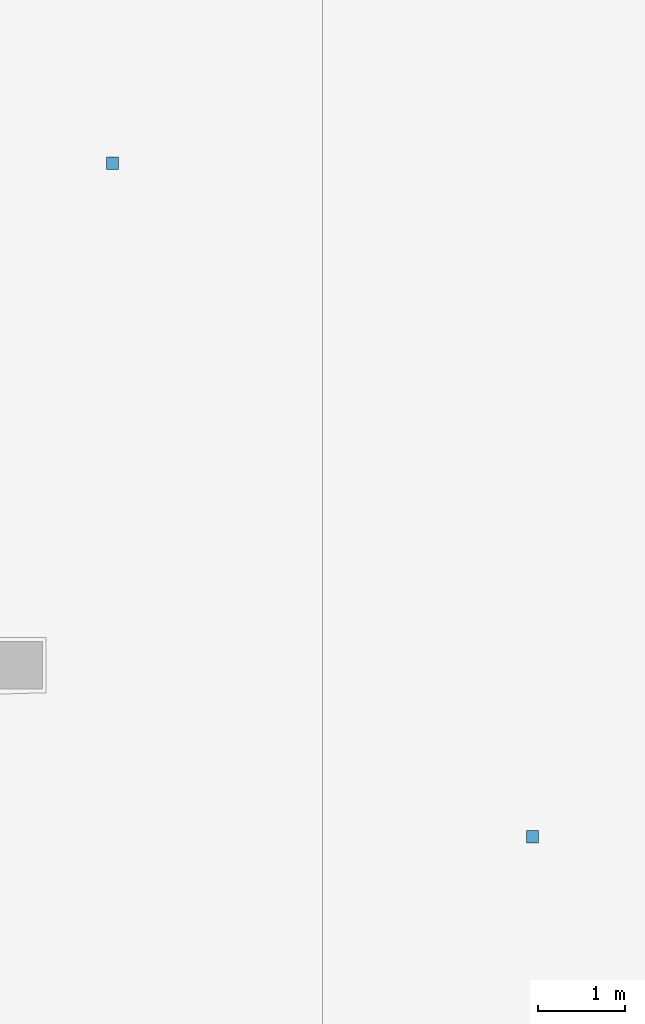
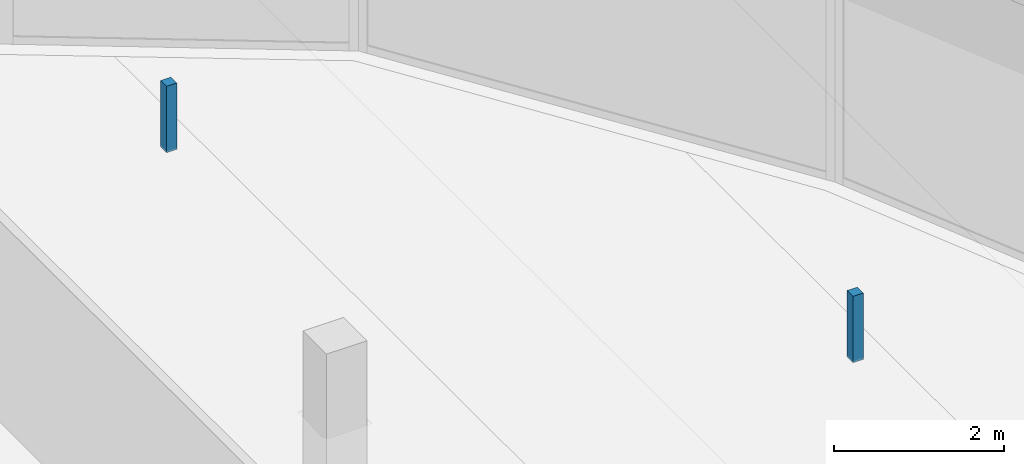
# One storey, part 29 of 36: 2 discrete accessories.
"""IFC4 building model written with IfcOpenShell, lengths in metres."""

from ifc_helpers import new_model, si_unit, direction, frame, origin, origin_2d, place, context, subcontext, project, spatial, rectangle, extrude, material, type_object, element, save


model = new_model("IFC4")

# Units and contexts
model_context = context("Model", 3, precision=1e-05, world=origin(), true_north=direction((0.0, 1.0)))
body_context = subcontext(model_context, "Body", "Model", "MODEL_VIEW")
ifc_project = project(units=[si_unit("LENGTHUNIT", "METRE"), si_unit("AREAUNIT", "SQUARE_METRE"), si_unit("VOLUMEUNIT", "CUBIC_METRE"), si_unit("PLANEANGLEUNIT", "RADIAN"), si_unit("MASSUNIT", "GRAM", prefix="KILO")], contexts=[model_context])

# Site, building, storey
site_placement = place(None, origin())
site = spatial("IfcSite", under=ifc_project, at=site_placement, CompositionType="ELEMENT")
building_placement = place(site_placement, origin())
building = spatial("IfcBuilding", under=site, at=building_placement, Name="Qorvath Tower", CompositionType="ELEMENT")
storey_placement = place(building_placement, frame((0.0, 0.0, 192.89990234375)))
storey = spatial("IfcBuildingStorey", under=building, at=storey_placement, Name="L44", CompositionType="ELEMENT", Elevation=192.89990234375)

# Discrete accessories
ifc_material = material(Name="Galvanised steel bracket", Category="steel")
discrete_accessory_type = type_object("IfcDiscreteAccessoryType", Name="DA-BRACKET", PredefinedType="BRACKET", material=ifc_material)
for number, where, z_axis, x_axis, name in (
    (1, (-10.72021484375, 17.2275390625, 2.85986328125), (0.0, 0.0, 1.0), (1.0, 0.0, 0.0), "Acoustic Ceiling Suspension Hanger T1-L44-021"),
    (2, (-5.886962890625, 9.474609375, 2.85986328125), (0.0, 0.0, 1.0), (1.0, 0.0, 0.0), "Acoustic Ceiling Suspension Hanger T1-L44-022"),
):
    element("IfcDiscreteAccessory", number, at=place(storey_placement, frame(where, z_axis=z_axis, x_axis=x_axis)), inside=storey, type_object=discrete_accessory_type, Name=name, PredefinedType="NOTDEFINED", context=body_context, shape_type="SweptSolid", body=[
        extrude(rectangle(XDim=0.139892578125, YDim=0.139892578125, at=origin_2d()), origin(), (0.0, 0.0, 1.0), 0.949951171875),
    ])

save(model, "model.ifc")
